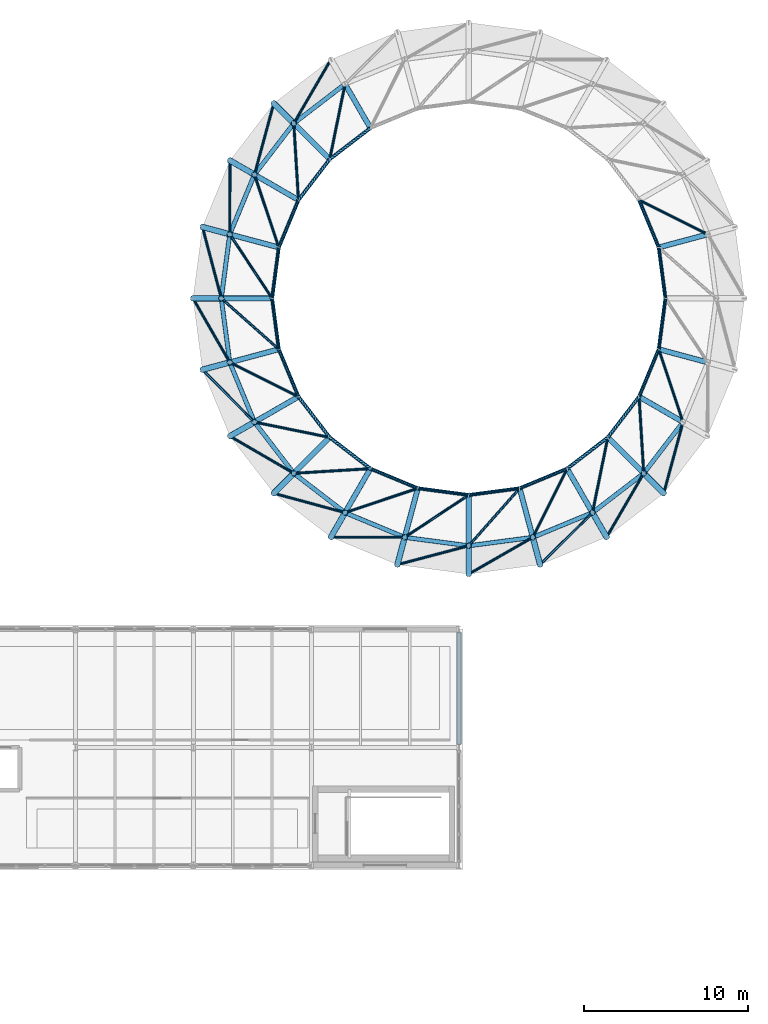
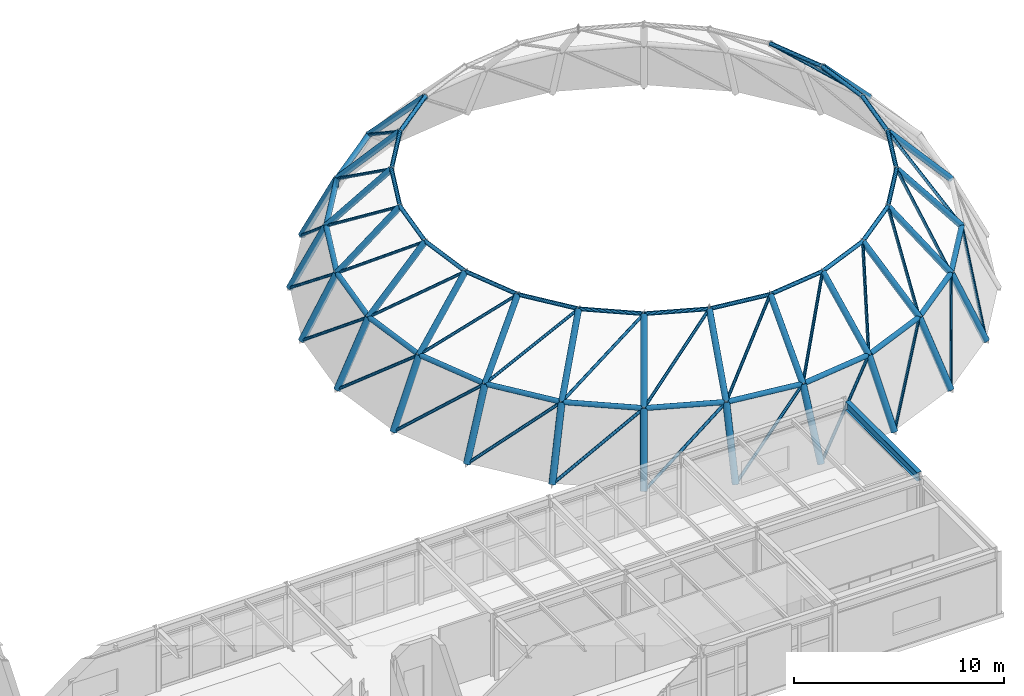
# One storey, part 24 of 48: 62 members, 31 beams.
"""IFC4 building model written with IfcOpenShell, lengths in metres."""

from ifc_helpers import new_model, si_unit, direction, frame, origin, origin_2d, place, context, subcontext, project, spatial, hollow_circle, i_section, extrude, material, material_profile, profile_set, type_object, element, save


model = new_model("IFC4")

# Units and contexts
model_context = context("Model", 3, precision=1e-05, world=origin(), true_north=direction((0.0, 1.0)))
body_context = subcontext(model_context, "Body", "Model", "MODEL_VIEW")
ifc_project = project(units=[si_unit("LENGTHUNIT", "METRE"), si_unit("AREAUNIT", "SQUARE_METRE"), si_unit("VOLUMEUNIT", "CUBIC_METRE"), si_unit("PLANEANGLEUNIT", "RADIAN"), si_unit("MASSUNIT", "GRAM", prefix="KILO")], contexts=[model_context])

# Site, building, storey
site_placement = place(None, origin())
site = spatial("IfcSite", under=ifc_project, at=site_placement, CompositionType="ELEMENT")
building_placement = place(site_placement, origin())
building = spatial("IfcBuilding", under=site, at=building_placement, Name="Kandorven Conservatory and Botanical Research Centre", CompositionType="ELEMENT")
storey_placement = place(building_placement, frame((0.0, 0.0, 13.199951171875)))
storey = spatial("IfcBuildingStorey", under=building, at=storey_placement, Name="L03", CompositionType="ELEMENT", Elevation=13.199951171875)

# Beams
ifc_material_1 = material(Name="Steel S355 (IS 2062 E350)", Category="steel")
ifc_material_profile_1 = material_profile(ifc_material_1, hollow_circle(Radius=0.177734375, WallThickness=0.02001953125, at=origin_2d()))
ifc_profile_set_1 = profile_set([ifc_material_profile_1], Name="Steel S355 (IS 2062 E350)")
beam_type_1 = type_object("IfcBeamType", Name="Beam_DR-01", PredefinedType="BEAM", material=ifc_profile_set_1)
for number, where, z_axis, x_axis, name in (
    (1, (75.702880859375, 59.697021484375, -2.39990234375), (0.305558572784, -0.305558572784, 0.901813682085), (0.707106781187, 0.707106781187, 0.0), "Conservatory Dome Rib DR-01 T1-R10"),
    (2, (73.029052734375, 56.21240234375, -2.39990234375), (0.374243967725, -0.216020541592, 0.901818484082), (0.499914405916, 0.866074815912, 0.0), "Conservatory Dome Rib DR-01 T1-R11"),
    (3, (71.348388671875, 52.154541015625, -2.39990234375), (0.41736918358, -0.111804054452, 0.901833032222), (0.258754953006, 0.965942997436, 0.0), "Conservatory Dome Rib DR-01 T1-R12"),
):
    element("IfcBeam", number, at=place(storey_placement, frame(where, z_axis=z_axis, x_axis=x_axis)), inside=storey, type_object=beam_type_1, Name=name, PredefinedType="BEAM", context=body_context, shape_type="SweptSolid", body=[
        extrude(hollow_circle(Radius=0.177734375, WallThickness=0.02001953125, at=origin_2d()), origin(), (0.0, 0.0, 1.0), 3.99169921875),
    ])
beam_1_placement = place(storey_placement, frame((70.77490234375, 47.800048828125, -2.39990234375), z_axis=(0.432154376008, 0.0, 0.901799642547), x_axis=(0.0, 1.0, 0.0)))
element("IfcBeam", 4, at=beam_1_placement, inside=storey, type_object=beam_type_1, Name="Conservatory Dome Rib DR-01 T1-R13", PredefinedType="BEAM", context=body_context, shape_type="SweptSolid", body=[
    extrude(hollow_circle(Radius=0.177734375, WallThickness=0.02001953125, at=origin_2d()), origin(), (0.0, 0.0, 1.0), 3.991943359375),
])
beam_2_placement = place(storey_placement, frame((71.348388671875, 43.4453125, -2.39990234375), z_axis=(0.417366328793, 0.111864451255, 0.901826863724), x_axis=(-0.258887019185, 0.965907610125, 0.0)))
element("IfcBeam", 5, at=beam_2_placement, inside=storey, type_object=beam_type_1, Name="Conservatory Dome Rib DR-01 T1-R14", PredefinedType="BEAM", context=body_context, shape_type="SweptSolid", body=[
    extrude(hollow_circle(Radius=0.177734375, WallThickness=0.02001953125, at=origin_2d()), origin(), (0.0, 0.0, 1.0), 3.99169921875),
])
for number, where, z_axis, x_axis, name in (
    (6, (73.029052734375, 39.387451171875, -2.39990234375), (0.374239022602, 0.216078847336, 0.901806567783), (-0.500020560727, 0.866013532718, 0.0), "Conservatory Dome Rib DR-01 T1-R15"),
    (7, (75.702880859375, 35.90283203125, -2.39990234375), (0.305552862045, 0.305614021545, 0.901796827634), (-0.707177537856, 0.707036017436, 0.0), "Conservatory Dome Rib DR-01 T1-R16"),
    (8, (79.1875, 33.22900390625, -2.39990234375), (0.216078847336, 0.374239022602, 0.901806567783), (-0.866013532718, 0.500020560727, 0.0), "Conservatory Dome Rib DR-01 T1-R17"),
    (9, (83.245361328125, 31.54833984375, -2.39990234375), (0.111861595617, 0.417416834384, 0.901803842196), (-0.965917094923, 0.258851628808, 0.0), "Conservatory Dome Rib DR-01 T1-R18"),
):
    element("IfcBeam", number, at=place(storey_placement, frame(where, z_axis=z_axis, x_axis=x_axis)), inside=storey, type_object=beam_type_1, Name=name, PredefinedType="BEAM", context=body_context, shape_type="SweptSolid", body=[
        extrude(hollow_circle(Radius=0.177734375, WallThickness=0.02001953125, at=origin_2d()), origin(), (0.0, 0.0, 1.0), 3.991943359375),
    ])
for number, where, z_axis, x_axis, name in (
    (10, (87.60009765625, 30.97509765625, -2.39990234375), (0.0, 0.43210463637, 0.901823476756), (-1.0, 0.0, 0.0), "Conservatory Dome Rib DR-01 T1-R19"),
    (11, (91.95458984375, 31.54833984375, -2.39990234375), (-0.111801200318, 0.41741968937, 0.901810010221), (-0.965952472906, -0.258719578091, 0.0), "Conservatory Dome Rib DR-01 T1-R20"),
):
    element("IfcBeam", number, at=place(storey_placement, frame(where, z_axis=z_axis, x_axis=x_axis)), inside=storey, type_object=beam_type_1, Name=name, PredefinedType="BEAM", context=body_context, shape_type="SweptSolid", body=[
        extrude(hollow_circle(Radius=0.177734375, WallThickness=0.02001953125, at=origin_2d()), origin(), (0.0, 0.0, 1.0), 3.99169921875),
    ])
for number, where, z_axis, x_axis, name in (
    (12, (96.012451171875, 33.22900390625, -2.39990234375), (-0.216078847336, 0.374239022602, 0.901806567783), (-0.866013532718, -0.500020560727, 0.0), "Conservatory Dome Rib DR-01 T1-R21"),
    (13, (99.4970703125, 35.90283203125, -2.39990234375), (-0.305552862045, 0.305614021545, 0.901796827634), (-0.707177537856, -0.707036017436, 0.0), "Conservatory Dome Rib DR-01 T1-R22"),
):
    element("IfcBeam", number, at=place(storey_placement, frame(where, z_axis=z_axis, x_axis=x_axis)), inside=storey, type_object=beam_type_1, Name=name, PredefinedType="BEAM", context=body_context, shape_type="SweptSolid", body=[
        extrude(hollow_circle(Radius=0.177734375, WallThickness=0.02001953125, at=origin_2d()), origin(), (0.0, 0.0, 1.0), 3.991943359375),
    ])
ifc_material_2 = material(Name="Steel S355 (IS 2062 E350)", Category="steel")
ifc_material_profile_2 = material_profile(ifc_material_2, hollow_circle(Radius=0.161865234375, WallThickness=0.01611328125, at=origin_2d()))
ifc_profile_set_2 = profile_set([ifc_material_profile_2], Name="Steel S355 (IS 2062 E350)")
beam_type_2 = type_object("IfcBeamType", Name="Beam_DR-02", PredefinedType="BEAM", material=ifc_profile_set_2)
beam_3_placement = place(storey_placement, frame((102.185546875, 51.708251953125, 1.199951171875), z_axis=(-0.661338426208, -0.177237619808, 0.728847248843), x_axis=(0.258863363555, -0.965913950106, 0.0)))
element("IfcBeam", 14, at=beam_3_placement, inside=storey, type_object=beam_type_2, Name="Conservatory Dome Rib DR-02 T2-R02", PredefinedType="BEAM", context=body_context, shape_type="SweptSolid", body=[
    extrude(hollow_circle(Radius=0.161865234375, WallThickness=0.01611328125, at=origin_2d()), origin(), (0.0, 0.0, 1.0), 4.52783203125),
])
beam_4_placement = place(storey_placement, frame((80.050048828125, 60.876953125, 1.199951171875), z_axis=(0.342349421968, -0.592923963452, 0.728860787011), x_axis=(0.86600983753, 0.500026960575, 0.0)))
element("IfcBeam", 15, at=beam_4_placement, inside=storey, type_object=beam_type_2, Name="Conservatory Dome Rib DR-02 T2-R09", PredefinedType="BEAM", context=body_context, shape_type="SweptSolid", body=[
    extrude(hollow_circle(Radius=0.161865234375, WallThickness=0.01611328125, at=origin_2d()), origin(), (0.0, 0.0, 1.0), 4.527587890625),
])
for number, where, z_axis, x_axis, name in (
    (16, (76.922607421875, 58.477294921875, 1.199951171875), (0.484160124933, -0.484106203547, 0.72885537462), (0.707067402311, 0.707146157869, 0.0), "Conservatory Dome Rib DR-02 T2-R10"),
    (17, (74.52294921875, 55.35009765625, 1.199951171875), (0.592958926882, -0.342338476564, 0.728837484283), (0.49999285859, 0.86602952684, 0.0), "Conservatory Dome Rib DR-02 T2-R11"),
    (18, (73.014404296875, 51.708251953125, 1.199951171875), (0.661338426208, -0.177237619808, 0.728847248843), (0.258863363555, 0.965913950106, 0.0), "Conservatory Dome Rib DR-02 T2-R12"),
    (19, (72.5, 47.800048828125, 1.199951171875), (0.684681537551, 0.0, 0.728842364395), (0.0, 1.0, 0.0), "Conservatory Dome Rib DR-02 T2-R13"),
    (20, (73.014404296875, 43.891845703125, 1.199951171875), (0.661344745611, 0.177185392098, 0.728854213324), (-0.258789884926, 0.965933639263, 0.0), "Conservatory Dome Rib DR-02 T2-R14"),
    (21, (74.52294921875, 40.25, 1.199951171875), (0.592958926882, 0.342338476564, 0.728837484283), (-0.49999285859, 0.86602952684, 0.0), "Conservatory Dome Rib DR-02 T2-R15"),
    (22, (76.922607421875, 37.122802734375, 1.199951171875), (0.484160124933, 0.484106203547, 0.72885537462), (-0.707067402311, 0.707146157869, 0.0), "Conservatory Dome Rib DR-02 T2-R16"),
    (23, (80.050048828125, 34.722900390625, 1.199951171875), (0.342338476564, 0.592958926882, 0.728837484283), (-0.86602952684, 0.49999285859, 0.0), "Conservatory Dome Rib DR-02 T2-R17"),
    (24, (83.69189453125, 33.214599609375, 1.199951171875), (0.177185392098, 0.661344745611, 0.728854213324), (-0.965933639263, 0.258789884926, 0.0), "Conservatory Dome Rib DR-02 T2-R18"),
    (25, (87.60009765625, 32.699951171875, 1.199951171875), (0.0, 0.684681537551, 0.728842364395), (-1.0, 0.0, 0.0), "Conservatory Dome Rib DR-02 T2-R19"),
    (26, (91.50830078125, 33.214599609375, 1.199951171875), (-0.177237619808, 0.661338426208, 0.728847248843), (-0.965913950106, -0.258863363555, 0.0), "Conservatory Dome Rib DR-02 T2-R20"),
    (27, (95.14990234375, 34.722900390625, 1.199951171875), (-0.342290874379, 0.592969871699, 0.728850937143), (-0.866063626216, -0.499933790963, 0.0), "Conservatory Dome Rib DR-02 T2-R21"),
    (28, (98.27734375, 37.122802734375, 1.199951171875), (-0.484160124933, 0.484106203547, 0.72885537462), (-0.707067402311, -0.707146157869, 0.0), "Conservatory Dome Rib DR-02 T2-R22"),
    (29, (100.677001953125, 40.25, 1.199951171875), (-0.592958926882, 0.342338476564, 0.728837484283), (-0.49999285859, -0.86602952684, 0.0), "Conservatory Dome Rib DR-02 T2-R23"),
    (30, (102.185546875, 43.891845703125, 1.199951171875), (-0.661344745611, 0.177185392098, 0.728854213324), (-0.258789884926, -0.965933639263, 0.0), "Conservatory Dome Rib DR-02 T2-R24"),
):
    element("IfcBeam", number, at=place(storey_placement, frame(where, z_axis=z_axis, x_axis=x_axis)), inside=storey, type_object=beam_type_2, Name=name, PredefinedType="BEAM", context=body_context, shape_type="SweptSolid", body=[
        extrude(hollow_circle(Radius=0.161865234375, WallThickness=0.01611328125, at=origin_2d()), origin(), (0.0, 0.0, 1.0), 4.52783203125),
    ])
ifc_material_3 = material(Name="Steel S355 (IS 2062 E350)", Category="steel")
ifc_material_profile_3 = material_profile(ifc_material_3, i_section(OverallWidth=0.25, OverallDepth=0.5, WebThickness=0.010009765625, FlangeThickness=0.0146484375, at=origin_2d()))
ifc_profile_set_3 = profile_set([ifc_material_profile_3], Name="Steel S355 (IS 2062 E350)")
beam_type_3 = type_object("IfcBeamType", Name="Beam_FG-02", PredefinedType="USERDEFINED", material=ifc_profile_set_3)
beam_5_placement = place(storey_placement, frame((87.0, 20.590087890625, 3.375), z_axis=(0.0, 1.0, 0.0), x_axis=(-1.0, 0.0, 0.0)))
element("IfcBeam", 31, at=beam_5_placement, inside=storey, type_object=beam_type_3, Name="Primary girder FG-02 VIS L03", ObjectType="GIRDER", PredefinedType="USERDEFINED", context=body_context, shape_type="SweptSolid", body=[
    extrude(i_section(OverallWidth=0.25, OverallDepth=0.5, WebThickness=0.010009765625, FlangeThickness=0.0146484375, at=origin_2d()), origin(), (0.0, 0.0, 1.0), 6.81982421875),
])

# Members
ifc_material_4 = material(Name="Steel S355 (IS 2062 E350)", Category="steel")
ifc_material_profile_4 = material_profile(ifc_material_4, hollow_circle(Radius=0.084228515625, WallThickness=0.010009765625, at=origin_2d()))
ifc_profile_set_4 = profile_set([ifc_material_profile_4], Name="Steel S355 (IS 2062 E350)")
member_type_1 = type_object("IfcMemberType", Name="Mem_DD-02", PredefinedType="BRACE", material=ifc_profile_set_4)
for number, where, z_axis, x_axis, name in (
    (32, (79.1875, 62.370849609375, -2.39990234375), (-0.392791331469, -0.675243737659, 0.624308308991), (0.864391598632, -0.502819216234, 0.0), "Conservatory Dome Brace DD-02 T1-S09"),
    (33, (75.702880859375, 59.697021484375, -2.39990234375), (-0.204635542697, -0.753886993113, 0.624322589916), (0.965078338252, -0.261961449524, 0.0), "Conservatory Dome Brace DD-02 T1-S10"),
):
    element("IfcMember", number, at=place(storey_placement, frame(where, z_axis=z_axis, x_axis=x_axis)), inside=storey, type_object=member_type_1, Name=name, PredefinedType="BRACE", context=body_context, shape_type="SweptSolid", body=[
        extrude(hollow_circle(Radius=0.084228515625, WallThickness=0.010009765625, at=origin_2d()), origin(), (0.0, 0.0, 1.0), 5.76611328125),
    ])
member_1_placement = place(storey_placement, frame((73.029052734375, 56.21240234375, -2.39990234375), z_axis=(-0.002540493781, -0.781159496248, 0.624326346803), x_axis=(0.999994711611, -0.003252191593, 0.0)))
element("IfcMember", 34, at=member_1_placement, inside=storey, type_object=member_type_1, Name="Conservatory Dome Brace DD-02 T1-S11", PredefinedType="BRACE", context=body_context, shape_type="SweptSolid", body=[
    extrude(hollow_circle(Radius=0.084228515625, WallThickness=0.010009765625, at=origin_2d()), origin(), (0.0, 0.0, 1.0), 5.765869140625),
])
for number, where, z_axis, x_axis, name in (
    (35, (71.348388671875, 52.154541015625, -2.39990234375), (0.199724475326, -0.75520155648, 0.624324229104), (0.96676278027, 0.255675041183, 0.0), "Conservatory Dome Brace DD-02 T1-S12"),
    (36, (70.77490234375, 47.800048828125, -2.39990234375), (0.388388437451, -0.677785032891, 0.624309114817), (0.867645471451, 0.49718340265, 0.0), "Conservatory Dome Brace DD-02 T1-S13"),
    (37, (71.348388671875, 43.4453125, -2.39990234375), (0.550565097476, -0.554164115647, 0.624323799299), (0.709406649104, 0.704799408489, 0.0), "Conservatory Dome Brace DD-02 T1-S14"),
    (38, (73.029052734375, 39.387451171875, -2.39990234375), (0.675254967258, -0.392755522716, 0.624318691511), (0.502778717343, 0.86441515569, 0.0), "Conservatory Dome Brace DD-02 T1-S15"),
    (39, (75.702880859375, 35.90283203125, -2.39990234375), (0.75390526905, -0.204629010745, 0.624302661583), (0.26194774706, 0.965082057553, 0.0), "Conservatory Dome Brace DD-02 T1-S16"),
    (40, (79.1875, 33.22900390625, -2.39990234375), (0.781176083064, -0.002498069859, 0.624305763945), (0.003197815628, 0.999994886975, 0.0), "Conservatory Dome Brace DD-02 T1-S17"),
    (41, (83.245361328125, 31.54833984375, -2.39990234375), (0.755219748471, 0.199718089002, 0.624304265919), (-0.255661644146, 0.96676632322, 0.0), "Conservatory Dome Brace DD-02 T1-S18"),
    (42, (87.60009765625, 30.97509765625, -2.39990234375), (0.677785032891, 0.388388437451, 0.624309114817), (-0.49718340265, 0.867645471451, 0.0), "Conservatory Dome Brace DD-02 T1-S19"),
    (43, (91.95458984375, 31.54833984375, -2.39990234375), (0.554164115647, 0.550565097476, 0.624323799299), (-0.704799408489, 0.709406649104, 0.0), "Conservatory Dome Brace DD-02 T1-S20"),
):
    element("IfcMember", number, at=place(storey_placement, frame(where, z_axis=z_axis, x_axis=x_axis)), inside=storey, type_object=member_type_1, Name=name, PredefinedType="BRACE", context=body_context, shape_type="SweptSolid", body=[
        extrude(hollow_circle(Radius=0.084228515625, WallThickness=0.010009765625, at=origin_2d()), origin(), (0.0, 0.0, 1.0), 5.76611328125),
    ])
member_2_placement = place(storey_placement, frame((96.012451171875, 33.22900390625, -2.39990234375), z_axis=(0.392780101675, 0.675266771759, 0.624290460191), x_axis=(-0.86440530106, 0.502795659786, 0.0)))
element("IfcMember", 44, at=member_2_placement, inside=storey, type_object=member_type_1, Name="Conservatory Dome Brace DD-02 T1-S21", PredefinedType="BRACE", context=body_context, shape_type="SweptSolid", body=[
    extrude(hollow_circle(Radius=0.084228515625, WallThickness=0.010009765625, at=origin_2d()), origin(), (0.0, 0.0, 1.0), 5.766357421875),
])
member_3_placement = place(storey_placement, frame((99.4970703125, 35.90283203125, -2.39990234375), z_axis=(0.204629010745, 0.75390526905, 0.624302661583), x_axis=(-0.965082057553, 0.26194774706, 0.0)))
element("IfcMember", 45, at=member_3_placement, inside=storey, type_object=member_type_1, Name="Conservatory Dome Brace DD-02 T1-S22", PredefinedType="BRACE", context=body_context, shape_type="SweptSolid", body=[
    extrude(hollow_circle(Radius=0.084228515625, WallThickness=0.010009765625, at=origin_2d()), origin(), (0.0, 0.0, 1.0), 5.76611328125),
])
member_4_placement = place(storey_placement, frame((102.185546875, 51.708251953125, 1.199951171875), z_axis=(-0.731632651769, 0.364964401511, 0.575773087678), x_axis=(-0.446379825513, -0.894843590453, 0.0)))
element("IfcMember", 46, at=member_4_placement, inside=storey, type_object=member_type_1, Name="Conservatory Dome Brace DD-02 T2-S02", PredefinedType="BRACE", context=body_context, shape_type="SweptSolid", body=[
    extrude(hollow_circle(Radius=0.084228515625, WallThickness=0.010009765625, at=origin_2d()), origin(), (0.0, 0.0, 1.0), 5.7314453125),
])
member_5_placement = place(storey_placement, frame((80.050048828125, 60.876953125, 1.199951171875), z_axis=(-0.163192893128, -0.801140365717, 0.575797007678), x_axis=(0.979877114841, -0.199601702927, 0.0)))
element("IfcMember", 47, at=member_5_placement, inside=storey, type_object=member_type_1, Name="Conservatory Dome Brace DD-02 T2-S09", PredefinedType="BRACE", context=body_context, shape_type="SweptSolid", body=[
    extrude(hollow_circle(Radius=0.084228515625, WallThickness=0.010009765625, at=origin_2d()), origin(), (0.0, 0.0, 1.0), 5.731201171875),
])
for number, where, z_axis, x_axis, name in (
    (48, (76.922607421875, 58.477294921875, 1.199951171875), (0.049753846422, -0.816082354235, 0.575790018906), (0.998146695734, 0.060853708144, 0.0), "Conservatory Dome Brace DD-02 T2-S10"),
    (49, (74.52294921875, 55.35009765625, 1.199951171875), (0.259240725078, -0.7754219782, 0.575773394822), (0.948401590573, 0.317071637015, 0.0), "Conservatory Dome Brace DD-02 T2-S11"),
    (50, (73.014404296875, 51.708251953125, 1.199951171875), (0.451136656234, -0.681880426117, 0.575773220878), (0.833992847769, 0.551775253043, 0.0), "Conservatory Dome Brace DD-02 T2-S12"),
    (51, (72.5, 47.800048828125, 1.199951171875), (0.612205035877, -0.541919876596, 0.57578454425), (0.662816663821, 0.748781723977, 0.0), "Conservatory Dome Brace DD-02 T2-S13"),
    (52, (73.014404296875, 43.891845703125, 1.199951171875), (0.731632651769, -0.364964401511, 0.575773087678), (0.446379825513, 0.894843590453, 0.0), "Conservatory Dome Brace DD-02 T2-S14"),
    (53, (74.52294921875, 40.25, 1.199951171875), (0.801155622433, -0.163187323987, 0.575777357955), (0.199591513114, 0.979879190458, 0.0), "Conservatory Dome Brace DD-02 T2-S15"),
    (54, (76.922607421875, 37.122802734375, 1.199951171875), (0.816098310228, 0.049709626183, 0.57577122289), (-0.060798638252, 0.998150051639, 0.0), "Conservatory Dome Brace DD-02 T2-S16"),
    (55, (80.050048828125, 34.722900390625, 1.199951171875), (0.775396429676, 0.259289021999, 0.575786053944), (-0.317134165827, 0.948380683515, 0.0), "Conservatory Dome Brace DD-02 T2-S17"),
    (56, (83.69189453125, 33.214599609375, 1.199951171875), (0.681893529381, 0.451102728395, 0.575784285148), (-0.551739014675, 0.834016822183, 0.0), "Conservatory Dome Brace DD-02 T2-S18"),
    (57, (87.60009765625, 32.699951171875, 1.199951171875), (0.541875656205, 0.612245798807, 0.575782819347), (-0.748830468139, 0.662761593627, 0.0), "Conservatory Dome Brace DD-02 T2-S19"),
    (58, (91.50830078125, 33.214599609375, 1.199951171875), (0.364975775749, 0.731612855799, 0.575791031839), (-0.894833208846, 0.446400636588, 0.0), "Conservatory Dome Brace DD-02 T2-S20"),
    (59, (95.14990234375, 34.722900390625, 1.199951171875), (0.163187323987, 0.801155622433, 0.575777357955), (-0.979879190458, 0.199591513114, 0.0), "Conservatory Dome Brace DD-02 T2-S21"),
    (60, (98.27734375, 37.122802734375, 1.199951171875), (-0.049753846422, 0.816082354235, 0.575790018906), (-0.998146695734, -0.060853708144, 0.0), "Conservatory Dome Brace DD-02 T2-S22"),
):
    element("IfcMember", number, at=place(storey_placement, frame(where, z_axis=z_axis, x_axis=x_axis)), inside=storey, type_object=member_type_1, Name=name, PredefinedType="BRACE", context=body_context, shape_type="SweptSolid", body=[
        extrude(hollow_circle(Radius=0.084228515625, WallThickness=0.010009765625, at=origin_2d()), origin(), (0.0, 0.0, 1.0), 5.7314453125),
    ])
member_6_placement = place(storey_placement, frame((100.677001953125, 40.25, 1.199951171875), z_axis=(-0.259249288005, 0.775404993353, 0.575792413072), x_axis=(-0.948396352489, -0.317087304359, 0.0)))
element("IfcMember", 61, at=member_6_placement, inside=storey, type_object=member_type_1, Name="Conservatory Dome Brace DD-02 T2-S23", PredefinedType="BRACE", context=body_context, shape_type="SweptSolid", body=[
    extrude(hollow_circle(Radius=0.084228515625, WallThickness=0.010009765625, at=origin_2d()), origin(), (0.0, 0.0, 1.0), 5.731201171875),
])
ifc_material_5 = material(Name="Steel S355 (IS 2062 E350)", Category="steel")
ifc_material_profile_5 = material_profile(ifc_material_5, hollow_circle(Radius=0.136474609375, WallThickness=0.013916015625, at=origin_2d()))
ifc_profile_set_5 = profile_set([ifc_material_profile_5], Name="Steel S355 (IS 2062 E350)")
member_type_2 = type_object("IfcMemberType", Name="Mem_DH-01", PredefinedType="CHORD", material=ifc_profile_set_5)
for number, where, z_axis, x_axis, name in (
    (62, (80.050048828125, 60.876953125, 1.199951171875), (-0.793367060993, -0.608743547424, 0.0), (0.608743547424, -0.793367060993, 0.0), "Conservatory Dome Hoop DH-01 T1-S09"),
    (63, (76.922607421875, 58.477294921875, 1.199951171875), (-0.608773459643, -0.793344108716, 0.0), (0.793344108716, -0.608773459643, 0.0), "Conservatory Dome Hoop DH-01 T1-S10"),
    (64, (74.52294921875, 55.35009765625, 1.199951171875), (-0.382692751803, -0.923875672219, 0.0), (0.923875672219, -0.382692751803, 0.0), "Conservatory Dome Hoop DH-01 T1-S11"),
    (65, (73.014404296875, 51.708251953125, 1.199951171875), (-0.130496167574, -0.991448813731, 0.0), (0.991448813731, -0.130496167574, 0.0), "Conservatory Dome Hoop DH-01 T1-S12"),
    (66, (72.5, 47.800048828125, 1.199951171875), (0.130496167574, -0.991448813731, 0.0), (0.991448813731, 0.130496167574, 0.0), "Conservatory Dome Hoop DH-01 T1-S13"),
    (67, (73.014404296875, 43.891845703125, 1.199951171875), (0.382692751803, -0.923875672219, 0.0), (0.923875672219, 0.382692751803, 0.0), "Conservatory Dome Hoop DH-01 T1-S14"),
    (68, (74.52294921875, 40.25, 1.199951171875), (0.608773459643, -0.793344108716, 0.0), (0.793344108716, 0.608773459643, 0.0), "Conservatory Dome Hoop DH-01 T1-S15"),
):
    element("IfcMember", number, at=place(storey_placement, frame(where, z_axis=z_axis, x_axis=x_axis)), inside=storey, type_object=member_type_2, Name=name, PredefinedType="CHORD", context=body_context, shape_type="SweptSolid", body=[
        extrude(hollow_circle(Radius=0.136474609375, WallThickness=0.013916015625, at=origin_2d()), origin(), (0.0, 0.0, 1.0), 3.94189453125),
    ])
member_7_placement = place(storey_placement, frame((76.922607421875, 37.122802734375, 1.199951171875), z_axis=(0.793337149982, -0.60878252805, 0.0), x_axis=(0.60878252805, 0.793337149982, 0.0)))
element("IfcMember", 69, at=member_7_placement, inside=storey, type_object=member_type_2, Name="Conservatory Dome Hoop DH-01 T1-S16", PredefinedType="CHORD", context=body_context, shape_type="SweptSolid", body=[
    extrude(hollow_circle(Radius=0.136474609375, WallThickness=0.013916015625, at=origin_2d()), origin(), (0.0, 0.0, 1.0), 3.942138671875),
])
for number, where, z_axis, x_axis, name in (
    (70, (80.050048828125, 34.722900390625, 1.199951171875), (0.92389756879, -0.382639886035, 0.0), (0.382639886035, 0.92389756879, 0.0), "Conservatory Dome Hoop DH-01 T1-S17"),
    (71, (83.69189453125, 33.214599609375, 1.199951171875), (0.991440798813, -0.13055704672, 0.0), (0.13055704672, 0.991440798813, 0.0), "Conservatory Dome Hoop DH-01 T1-S18"),
    (72, (87.60009765625, 32.699951171875, 1.199951171875), (0.991440798813, 0.13055704672, 0.0), (-0.13055704672, 0.991440798813, 0.0), "Conservatory Dome Hoop DH-01 T1-S19"),
):
    element("IfcMember", number, at=place(storey_placement, frame(where, z_axis=z_axis, x_axis=x_axis)), inside=storey, type_object=member_type_2, Name=name, PredefinedType="CHORD", context=body_context, shape_type="SweptSolid", body=[
        extrude(hollow_circle(Radius=0.136474609375, WallThickness=0.013916015625, at=origin_2d()), origin(), (0.0, 0.0, 1.0), 3.94189453125),
    ])
member_8_placement = place(storey_placement, frame((91.50830078125, 33.214599609375, 1.199951171875), z_axis=(0.923888499775, 0.382661782758, 0.0), x_axis=(-0.382661782758, 0.923888499775, 0.0)))
element("IfcMember", 73, at=member_8_placement, inside=storey, type_object=member_type_2, Name="Conservatory Dome Hoop DH-01 T1-S20", PredefinedType="CHORD", context=body_context, shape_type="SweptSolid", body=[
    extrude(hollow_circle(Radius=0.136474609375, WallThickness=0.013916015625, at=origin_2d()), origin(), (0.0, 0.0, 1.0), 3.941650390625),
])
member_9_placement = place(storey_placement, frame((95.14990234375, 34.722900390625, 1.199951171875), z_axis=(0.793337149982, 0.60878252805, 0.0), x_axis=(-0.60878252805, 0.793337149982, 0.0)))
element("IfcMember", 74, at=member_9_placement, inside=storey, type_object=member_type_2, Name="Conservatory Dome Hoop DH-01 T1-S21", PredefinedType="CHORD", context=body_context, shape_type="SweptSolid", body=[
    extrude(hollow_circle(Radius=0.136474609375, WallThickness=0.013916015625, at=origin_2d()), origin(), (0.0, 0.0, 1.0), 3.942138671875),
])
member_10_placement = place(storey_placement, frame((98.27734375, 37.122802734375, 1.199951171875), z_axis=(0.608773459643, 0.793344108716, 0.0), x_axis=(-0.793344108716, 0.608773459643, 0.0)))
element("IfcMember", 75, at=member_10_placement, inside=storey, type_object=member_type_2, Name="Conservatory Dome Hoop DH-01 T1-S22", PredefinedType="CHORD", context=body_context, shape_type="SweptSolid", body=[
    extrude(hollow_circle(Radius=0.136474609375, WallThickness=0.013916015625, at=origin_2d()), origin(), (0.0, 0.0, 1.0), 3.94189453125),
])
ifc_material_6 = material(Name="Steel S355 (IS 2062 E350)", Category="steel")
ifc_material_profile_6 = material_profile(ifc_material_6, hollow_circle(Radius=0.109619140625, WallThickness=0.011962890625, at=origin_2d()))
ifc_profile_set_6 = profile_set([ifc_material_profile_6], Name="Steel S355 (IS 2062 E350)")
member_type_3 = type_object("IfcMemberType", Name="Mem_DH-02", PredefinedType="CHORD", material=ifc_profile_set_6)
member_11_placement = place(storey_placement, frame((99.60009765625, 47.800048828125, 4.5), z_axis=(-0.130545235678, 0.991442354069, 0.0), x_axis=(-0.991442354069, -0.130545235678, 0.0)))
element("IfcMember", 76, at=member_11_placement, inside=storey, type_object=member_type_3, Name="Conservatory Dome Hoop DH-02 T2-S01", PredefinedType="CHORD", context=body_context, shape_type="SweptSolid", body=[
    extrude(hollow_circle(Radius=0.109619140625, WallThickness=0.011962890625, at=origin_2d()), origin(), (0.0, 0.0, 1.0), 3.132568359375),
])
member_12_placement = place(storey_placement, frame((99.191162109375, 50.90576171875, 4.5), z_axis=(-0.3827165725, 0.923865804722, 0.0), x_axis=(-0.923865804722, -0.3827165725, 0.0)))
element("IfcMember", 77, at=member_12_placement, inside=storey, type_object=member_type_3, Name="Conservatory Dome Hoop DH-02 T2-S02", PredefinedType="CHORD", context=body_context, shape_type="SweptSolid", body=[
    extrude(hollow_circle(Radius=0.109619140625, WallThickness=0.011962890625, at=origin_2d()), origin(), (0.0, 0.0, 1.0), 3.1328125),
])
for number, where, z_axis, x_axis, name in (
    (78, (81.60009765625, 58.1923828125, 4.5), (-0.793367971845, -0.608742360322, 0.0), (0.608742360322, -0.793367971845, 0.0), "Conservatory Dome Hoop DH-02 T2-S09"),
    (79, (79.11474609375, 56.285400390625, 4.5), (-0.608742360322, -0.793367971845, 0.0), (0.793367971845, -0.608742360322, 0.0), "Conservatory Dome Hoop DH-02 T2-S10"),
):
    element("IfcMember", number, at=place(storey_placement, frame(where, z_axis=z_axis, x_axis=x_axis)), inside=storey, type_object=member_type_3, Name=name, PredefinedType="CHORD", context=body_context, shape_type="SweptSolid", body=[
        extrude(hollow_circle(Radius=0.109619140625, WallThickness=0.011962890625, at=origin_2d()), origin(), (0.0, 0.0, 1.0), 3.132568359375),
    ])
member_13_placement = place(storey_placement, frame((77.207763671875, 53.800048828125, 4.5), z_axis=(-0.3827165725, -0.923865804722, 0.0), x_axis=(0.923865804722, -0.3827165725, 0.0)))
element("IfcMember", 80, at=member_13_placement, inside=storey, type_object=member_type_3, Name="Conservatory Dome Hoop DH-02 T2-S11", PredefinedType="CHORD", context=body_context, shape_type="SweptSolid", body=[
    extrude(hollow_circle(Radius=0.109619140625, WallThickness=0.011962890625, at=origin_2d()), origin(), (0.0, 0.0, 1.0), 3.1328125),
])
member_14_placement = place(storey_placement, frame((76.0087890625, 50.90576171875, 4.5), z_axis=(-0.13046862527, -0.991452438506, 0.0), x_axis=(0.991452438506, -0.13046862527, 0.0)))
element("IfcMember", 81, at=member_14_placement, inside=storey, type_object=member_type_3, Name="Conservatory Dome Hoop DH-02 T2-S12", PredefinedType="CHORD", context=body_context, shape_type="SweptSolid", body=[
    extrude(hollow_circle(Radius=0.109619140625, WallThickness=0.011962890625, at=origin_2d()), origin(), (0.0, 0.0, 1.0), 3.132568359375),
])
member_15_placement = place(storey_placement, frame((75.60009765625, 47.800048828125, 4.5), z_axis=(0.130458544462, -0.991453765022, 0.0), x_axis=(0.991453765022, 0.130458544462, 0.0)))
element("IfcMember", 82, at=member_15_placement, inside=storey, type_object=member_type_3, Name="Conservatory Dome Hoop DH-02 T2-S13", PredefinedType="CHORD", context=body_context, shape_type="SweptSolid", body=[
    extrude(hollow_circle(Radius=0.109619140625, WallThickness=0.011962890625, at=origin_2d()), origin(), (0.0, 0.0, 1.0), 3.1328125),
])
for number, where, z_axis, x_axis, name in (
    (83, (76.0087890625, 44.694091796875, 4.5), (0.382744128875, -0.923854388858, 0.0), (0.923854388858, 0.382744128875, 0.0), "Conservatory Dome Hoop DH-02 T2-S14"),
    (84, (77.207763671875, 41.800048828125, 4.5), (0.608742360322, -0.793367971845, 0.0), (0.793367971845, 0.608742360322, 0.0), "Conservatory Dome Hoop DH-02 T2-S15"),
    (85, (79.11474609375, 39.314697265625, 4.5), (0.793367971845, -0.608742360322, 0.0), (0.608742360322, 0.793367971845, 0.0), "Conservatory Dome Hoop DH-02 T2-S16"),
    (86, (81.60009765625, 37.40771484375, 4.5), (0.923881945474, -0.382677606907, 0.0), (0.382677606907, 0.923881945474, 0.0), "Conservatory Dome Hoop DH-02 T2-S17"),
):
    element("IfcMember", number, at=place(storey_placement, frame(where, z_axis=z_axis, x_axis=x_axis)), inside=storey, type_object=member_type_3, Name=name, PredefinedType="CHORD", context=body_context, shape_type="SweptSolid", body=[
        extrude(hollow_circle(Radius=0.109619140625, WallThickness=0.011962890625, at=origin_2d()), origin(), (0.0, 0.0, 1.0), 3.132568359375),
    ])
member_16_placement = place(storey_placement, frame((84.494140625, 36.208984375, 4.5), z_axis=(0.99144368213, -0.130535149156, 0.0), x_axis=(0.130535149156, 0.99144368213, 0.0)))
element("IfcMember", 87, at=member_16_placement, inside=storey, type_object=member_type_3, Name="Conservatory Dome Hoop DH-02 T2-S18", PredefinedType="CHORD", context=body_context, shape_type="SweptSolid", body=[
    extrude(hollow_circle(Radius=0.109619140625, WallThickness=0.011962890625, at=origin_2d()), origin(), (0.0, 0.0, 1.0), 3.1328125),
])
member_17_placement = place(storey_placement, frame((87.60009765625, 35.800048828125, 4.5), z_axis=(0.991442354069, 0.130545235678, 0.0), x_axis=(-0.130545235678, 0.991442354069, 0.0)))
element("IfcMember", 88, at=member_17_placement, inside=storey, type_object=member_type_3, Name="Conservatory Dome Hoop DH-02 T2-S19", PredefinedType="CHORD", context=body_context, shape_type="SweptSolid", body=[
    extrude(hollow_circle(Radius=0.109619140625, WallThickness=0.011962890625, at=origin_2d()), origin(), (0.0, 0.0, 1.0), 3.132568359375),
])
member_18_placement = place(storey_placement, frame((90.705810546875, 36.208984375, 4.5), z_axis=(0.92389335771, 0.382650053678, 0.0), x_axis=(-0.382650053678, 0.92389335771, 0.0)))
element("IfcMember", 89, at=member_18_placement, inside=storey, type_object=member_type_3, Name="Conservatory Dome Hoop DH-02 T2-S20", PredefinedType="CHORD", context=body_context, shape_type="SweptSolid", body=[
    extrude(hollow_circle(Radius=0.109619140625, WallThickness=0.011962890625, at=origin_2d()), origin(), (0.0, 0.0, 1.0), 3.1328125),
])
for number, where, z_axis, x_axis, name in (
    (90, (93.60009765625, 37.40771484375, 4.5), (0.793339089383, 0.608780000704, 0.0), (-0.608780000704, 0.793339089383, 0.0), "Conservatory Dome Hoop DH-02 T2-S21"),
    (91, (96.085205078125, 39.314697265625, 4.5), (0.608742360322, 0.793367971845, 0.0), (-0.793367971845, 0.608742360322, 0.0), "Conservatory Dome Hoop DH-02 T2-S22"),
    (92, (97.9921875, 41.800048828125, 4.5), (0.382744128875, 0.923854388858, 0.0), (-0.923854388858, 0.382744128875, 0.0), "Conservatory Dome Hoop DH-02 T2-S23"),
):
    element("IfcMember", number, at=place(storey_placement, frame(where, z_axis=z_axis, x_axis=x_axis)), inside=storey, type_object=member_type_3, Name=name, PredefinedType="CHORD", context=body_context, shape_type="SweptSolid", body=[
        extrude(hollow_circle(Radius=0.109619140625, WallThickness=0.011962890625, at=origin_2d()), origin(), (0.0, 0.0, 1.0), 3.132568359375),
    ])
member_19_placement = place(storey_placement, frame((99.191162109375, 44.694091796875, 4.5), z_axis=(0.130535149156, 0.99144368213, 0.0), x_axis=(-0.99144368213, 0.130535149156, 0.0)))
element("IfcMember", 93, at=member_19_placement, inside=storey, type_object=member_type_3, Name="Conservatory Dome Hoop DH-02 T2-S24", PredefinedType="CHORD", context=body_context, shape_type="SweptSolid", body=[
    extrude(hollow_circle(Radius=0.109619140625, WallThickness=0.011962890625, at=origin_2d()), origin(), (0.0, 0.0, 1.0), 3.1328125),
])

save(model, "model.ifc")
